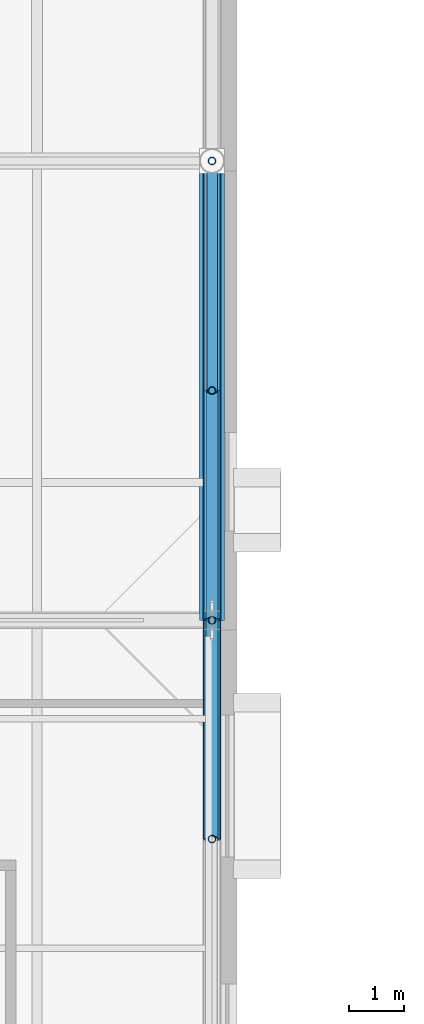
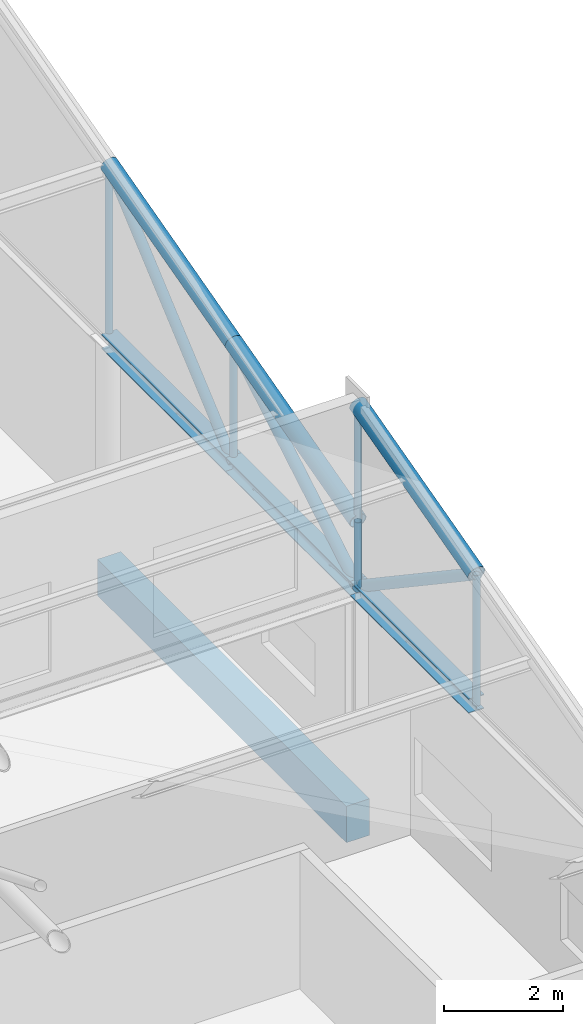
# One storey, part 50 of 89: 14 members, 1 beam.
"""IFC4 building model written with IfcOpenShell, lengths in metres."""

from ifc_helpers import new_model, si_unit, direction, frame, origin, origin_2d, place, context, subcontext, project, spatial, rectangle, hollow_circle, i_section, extrude, material, material_profile, profile_set, type_object, element, save


model = new_model("IFC4")

# Units and contexts
model_context = context("Model", 3, precision=1e-05, world=origin(), true_north=direction((0.0, 1.0)))
body_context = subcontext(model_context, "Body", "Model", "MODEL_VIEW")
ifc_project = project(units=[si_unit("LENGTHUNIT", "METRE"), si_unit("AREAUNIT", "SQUARE_METRE"), si_unit("VOLUMEUNIT", "CUBIC_METRE"), si_unit("PLANEANGLEUNIT", "RADIAN"), si_unit("MASSUNIT", "GRAM", prefix="KILO")], contexts=[model_context])

# Site, building, storey
site_placement = place(None, origin())
site = spatial("IfcSite", under=ifc_project, at=site_placement, CompositionType="ELEMENT")
building_placement = place(site_placement, origin())
building = spatial("IfcBuilding", under=site, at=building_placement, Name="Zereglee Splitstone Museum", CompositionType="ELEMENT")
storey_placement = place(building_placement, frame((0.0, 0.0, 21.300048828125)))
storey = spatial("IfcBuildingStorey", under=building, at=storey_placement, Name="L04", CompositionType="ELEMENT", Elevation=21.300048828125)

# Members
ifc_material_1 = material(Name="Steel S355J2H", Category="steel")
ifc_material_profile_1 = material_profile(ifc_material_1, hollow_circle(Radius=0.096923828125, WallThickness=0.010009765625, at=origin_2d()), Name="CHS 193.7x10")
ifc_profile_set_1 = profile_set([ifc_material_profile_1], Name="Steel S355J2H")
member_type_1 = type_object("IfcMemberType", Name="TB-04", PredefinedType="BRACE", material=ifc_profile_set_1)
member_1_placement = place(storey_placement, frame((145.199951171875, 25.800048828125, 4.199951171875), z_axis=(0.0, 0.759244140748, 0.650805911728), x_axis=(-1.0, 0.0, 0.0)))
element("IfcMember", 1, at=member_1_placement, inside=storey, type_object=member_type_1, Name="Roof Truss ST-08 Diagonal 2.2", PredefinedType="BRACE", context=body_context, shape_type="SweptSolid", body=[
    extrude(hollow_circle(Radius=0.096923828125, WallThickness=0.010009765625, at=origin_2d()), origin(), (0.0, 0.0, 1.0), 5.53173828125),
])
ifc_material_profile_2 = material_profile(ifc_material_1, hollow_circle(Radius=0.109619140625, WallThickness=0.010009765625, at=origin_2d()), Name="CHS 219.1x10")
ifc_profile_set_2 = profile_set([ifc_material_profile_2], Name="Steel S355J2H")
member_type_2 = type_object("IfcMemberType", Name="TB-03", PredefinedType="BRACE", material=ifc_profile_set_2)
member_2_placement = place(storey_placement, frame((145.199951171875, 21.60009765625, 4.199951171875), z_axis=(0.0, -0.830448263685, 0.557095755991), x_axis=(1.0, 0.0, 0.0)))
element("IfcMember", 2, at=member_2_placement, inside=storey, type_object=member_type_2, Name="Roof Truss ST-08 Diagonal 1.3", PredefinedType="BRACE", context=body_context, shape_type="SweptSolid", body=[
    extrude(hollow_circle(Radius=0.109619140625, WallThickness=0.010009765625, at=origin_2d()), origin(), (0.0, 0.0, 1.0), 4.816650390625),
])
member_3_placement = place(storey_placement, frame((145.199951171875, 21.60009765625, 4.199951171875), z_axis=(0.0, 0.861527117747, 0.50771155727), x_axis=(-1.0, 0.0, 0.0)))
element("IfcMember", 3, at=member_3_placement, inside=storey, type_object=member_type_2, Name="Roof Truss ST-08 Diagonal 2.1", PredefinedType="BRACE", context=body_context, shape_type="SweptSolid", body=[
    extrude(hollow_circle(Radius=0.109619140625, WallThickness=0.010009765625, at=origin_2d()), origin(), (0.0, 0.0, 1.0), 4.875),
])
ifc_material_profile_3 = material_profile(ifc_material_1, hollow_circle(Radius=0.161865234375, WallThickness=0.01611328125, at=origin_2d()), Name="CHS 323.9x16")
ifc_profile_set_3 = profile_set([ifc_material_profile_3], Name="Steel S355J2H")
member_type_3 = type_object("IfcMemberType", Name="TC-05", PredefinedType="CHORD", material=ifc_profile_set_3)
member_4_placement = place(storey_placement, frame((145.199951171875, 17.60009765625, 6.88330078125), z_axis=(0.0, 0.966235918422, 0.257658979955), x_axis=(-1.0, 0.0, 0.0)))
element("IfcMember", 4, at=member_4_placement, inside=storey, type_object=member_type_3, Name="Roof Truss ST-08 Top Chord 1.3", PredefinedType="CHORD", context=body_context, shape_type="SweptSolid", body=[
    extrude(hollow_circle(Radius=0.161865234375, WallThickness=0.01611328125, at=origin_2d()), origin(), (0.0, 0.0, 1.0), 4.139892578125),
])
for number, where, z_axis, x_axis, name in (
    (5, (145.199951171875, 21.60009765625, 5.550048828125), (0.0, 0.965947299715, 0.258738891884), (-1.0, 0.0, 0.0), "Roof Truss ST-08 Top Chord 2.1"),
    (6, (145.199951171875, 25.800048828125, 6.675048828125), (0.0, 0.965947299715, 0.258738891884), (-1.0, 0.0, 0.0), "Roof Truss ST-08 Top Chord 2.2"),
):
    element("IfcMember", number, at=place(storey_placement, frame(where, z_axis=z_axis, x_axis=x_axis)), inside=storey, type_object=member_type_3, Name=name, PredefinedType="CHORD", context=body_context, shape_type="SweptSolid", body=[
        extrude(hollow_circle(Radius=0.161865234375, WallThickness=0.01611328125, at=origin_2d()), origin(), (0.0, 0.0, 1.0), 4.347900390625),
    ])
ifc_material_2 = material(Name="Steel S355J2", Category="steel")
ifc_material_profile_4 = material_profile(ifc_material_2, i_section(OverallWidth=0.300048828125, OverallDepth=0.300048828125, WebThickness=0.010986328125, FlangeThickness=0.01904296875, FilletRadius=0.027099609375, at=origin_2d()), Name="HE 300 B")
ifc_profile_set_4 = profile_set([ifc_material_profile_4], Name="Steel S355J2")
member_type_4 = type_object("IfcMemberType", Name="TC-07", PredefinedType="CHORD", material=ifc_profile_set_4)
member_5_placement = place(storey_placement, frame((145.199951171875, 17.60009765625, 4.199951171875), z_axis=(0.0, 1.0, 0.0), x_axis=(-1.0, 0.0, 0.0)))
element("IfcMember", 7, at=member_5_placement, inside=storey, type_object=member_type_4, Name="Roof Truss ST-08 Bottom Chord 1.3", PredefinedType="CHORD", context=body_context, shape_type="SweptSolid", body=[
    extrude(i_section(OverallWidth=0.300048828125, OverallDepth=0.300048828125, WebThickness=0.010986328125, FlangeThickness=0.01904296875, FilletRadius=0.027099609375, at=origin_2d()), origin(), (0.0, 0.0, 1.0), 4.0),
])
for number, where, z_axis, x_axis, name in (
    (8, (145.199951171875, 21.60009765625, 4.199951171875), (0.0, 1.0, 0.0), (-1.0, 0.0, 0.0), "Roof Truss ST-08 Bottom Chord 2.1"),
    (9, (145.199951171875, 25.800048828125, 4.199951171875), (0.0, 1.0, 0.0), (-1.0, 0.0, 0.0), "Roof Truss ST-08 Bottom Chord 2.2"),
):
    element("IfcMember", number, at=place(storey_placement, frame(where, z_axis=z_axis, x_axis=x_axis)), inside=storey, type_object=member_type_4, Name=name, PredefinedType="CHORD", context=body_context, shape_type="SweptSolid", body=[
        extrude(i_section(OverallWidth=0.300048828125, OverallDepth=0.300048828125, WebThickness=0.010986328125, FlangeThickness=0.01904296875, FilletRadius=0.027099609375, at=origin_2d()), origin(), (0.0, 0.0, 1.0), 4.199951171875),
    ])
ifc_material_profile_5 = material_profile(ifc_material_1, hollow_circle(Radius=0.06982421875, WallThickness=0.008056640625, at=origin_2d()), Name="CHS 139.7x8")
ifc_profile_set_5 = profile_set([ifc_material_profile_5], Name="Steel S355J2H")
member_type_5 = type_object("IfcMemberType", Name="TP-03", PredefinedType="POST", material=ifc_profile_set_5)
member_6_placement = place(storey_placement, frame((145.199951171875, 17.60009765625, 4.199951171875), z_axis=(0.0, 0.0, 1.0), x_axis=(1.0, 0.0, 0.0)))
element("IfcMember", 10, at=member_6_placement, inside=storey, type_object=member_type_5, Name="Roof Truss ST-08 Post 1.2", PredefinedType="POST", context=body_context, shape_type="SweptSolid", body=[
    extrude(hollow_circle(Radius=0.06982421875, WallThickness=0.008056640625, at=origin_2d()), origin(), (0.0, 0.0, 1.0), 2.683349609375),
])
member_7_placement = place(storey_placement, frame((145.199951171875, 21.60009765625, 4.199951171875), z_axis=(0.0, 0.0, 1.0), x_axis=(1.0, 0.0, 0.0)))
element("IfcMember", 11, at=member_7_placement, inside=storey, type_object=member_type_5, Name="Roof Truss ST-08 Post 1.3", PredefinedType="POST", context=body_context, shape_type="SweptSolid", body=[
    extrude(hollow_circle(Radius=0.06982421875, WallThickness=0.008056640625, at=origin_2d()), origin(), (0.0, 0.0, 1.0), 3.75),
])
member_8_placement = place(storey_placement, frame((145.199951171875, 21.60009765625, 4.199951171875), z_axis=(0.0, 0.0, 1.0), x_axis=(1.0, 0.0, 0.0)))
element("IfcMember", 12, at=member_8_placement, inside=storey, type_object=member_type_5, Name="Roof Truss ST-08 Post 2.0", PredefinedType="POST", context=body_context, shape_type="SweptSolid", body=[
    extrude(hollow_circle(Radius=0.06982421875, WallThickness=0.008056640625, at=origin_2d()), origin(), (0.0, 0.0, 1.0), 1.35009765625),
])
member_9_placement = place(storey_placement, frame((145.199951171875, 25.800048828125, 4.199951171875), z_axis=(0.0, 0.0, 1.0), x_axis=(1.0, 0.0, 0.0)))
element("IfcMember", 13, at=member_9_placement, inside=storey, type_object=member_type_5, Name="Roof Truss ST-08 Post 2.1", PredefinedType="POST", context=body_context, shape_type="SweptSolid", body=[
    extrude(hollow_circle(Radius=0.06982421875, WallThickness=0.008056640625, at=origin_2d()), origin(), (0.0, 0.0, 1.0), 2.47509765625),
])
member_10_placement = place(storey_placement, frame((145.199951171875, 30.0, 4.199951171875), z_axis=(0.0, 0.0, 1.0), x_axis=(1.0, 0.0, 0.0)))
element("IfcMember", 14, at=member_10_placement, inside=storey, type_object=member_type_5, Name="Roof Truss ST-08 Post 2.2", PredefinedType="POST", context=body_context, shape_type="SweptSolid", body=[
    extrude(hollow_circle(Radius=0.06982421875, WallThickness=0.008056640625, at=origin_2d()), origin(), (0.0, 0.0, 1.0), 3.60009765625),
])

# Beam
ifc_material_3 = material(Name="Concrete C40/50", Category="concrete")
ifc_material_profile_6 = material_profile(ifc_material_3, rectangle(XDim=0.449951171875, YDim=0.75, at=origin_2d()), Name="RC 450x750")
ifc_profile_set_6 = profile_set([ifc_material_profile_6], Name="Concrete C40/50")
beam_type = type_object("IfcBeamType", Name="SP-01", PredefinedType="SPANDREL", material=ifc_profile_set_6)
beam_placement = place(storey_placement, frame((145.199951171875, 21.60009765625, -0.635009765625), z_axis=(0.0, 1.0, 0.0), x_axis=(-1.0, 0.0, 0.0)))
element("IfcBeam", 15, at=beam_placement, inside=storey, type_object=beam_type, Name="Primary Girder L04 17 (21.6-30.0)", PredefinedType="SPANDREL", context=body_context, shape_type="SweptSolid", body=[
    extrude(rectangle(XDim=0.449951171875, YDim=0.75, at=origin_2d()), origin(), (0.0, 0.0, 1.0), 8.39990234375),
])

save(model, "model.ifc")
